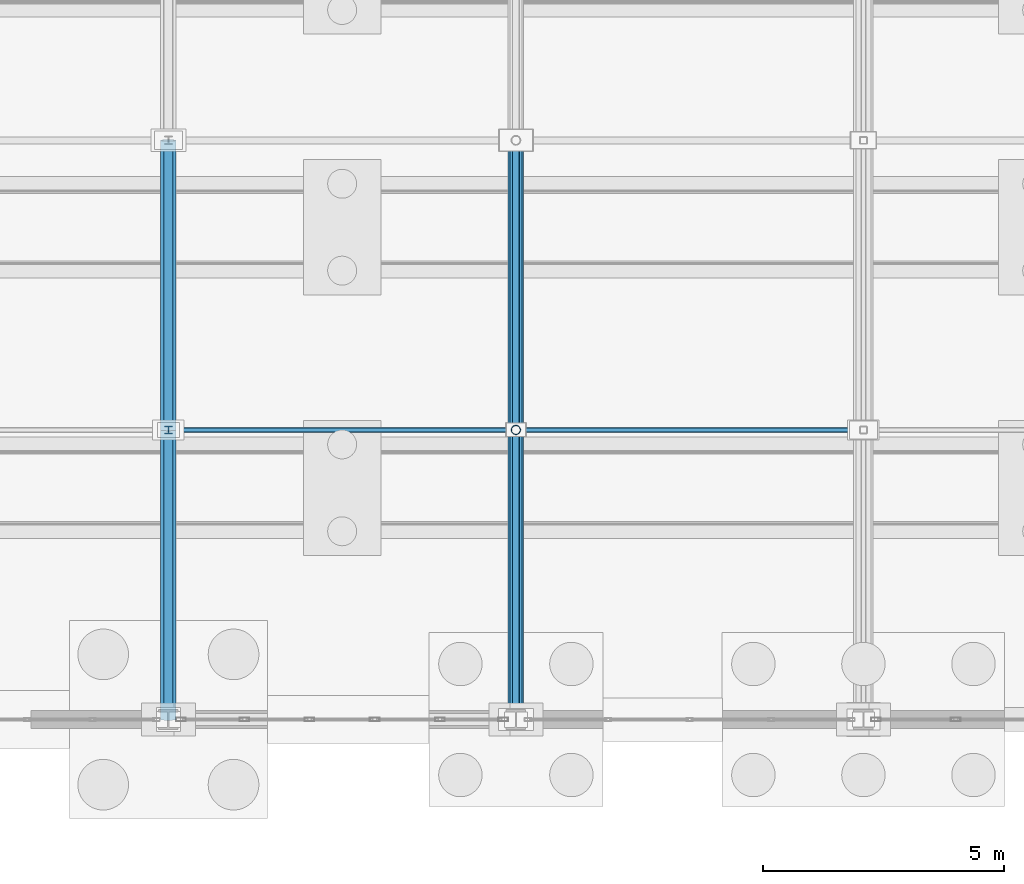
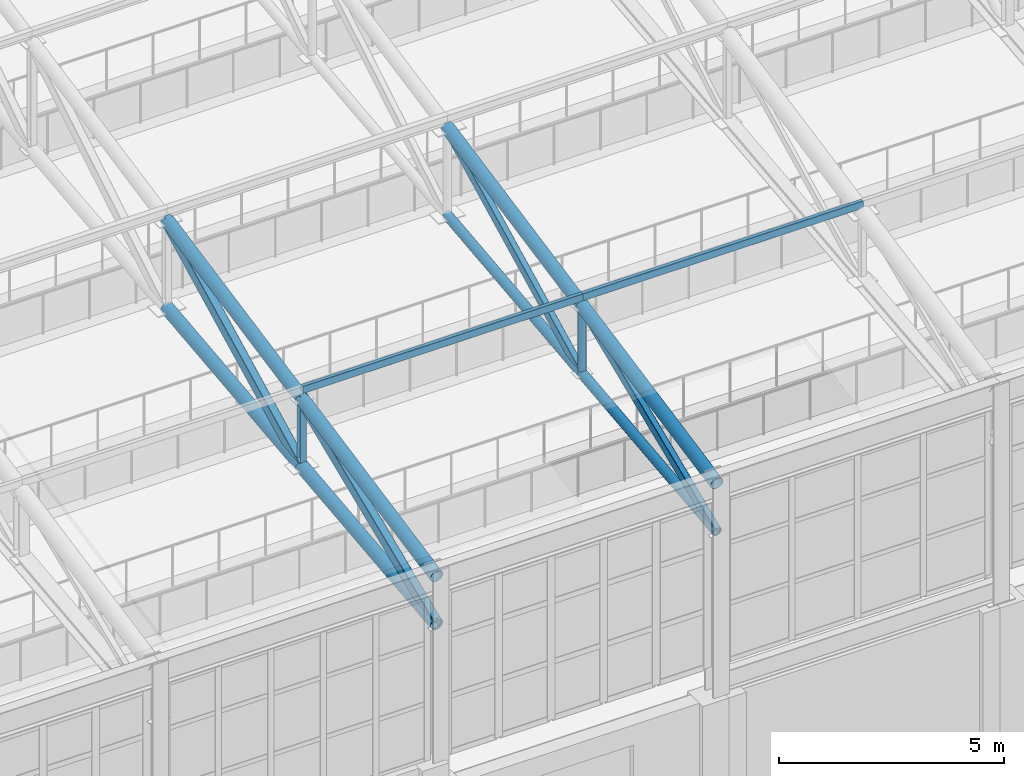
# One storey, part 127 of 293: 16 members.
"""IFC4 building model written with IfcOpenShell, lengths in metres."""

from ifc_helpers import new_model, si_unit, direction, frame, origin, origin_2d, place, context, subcontext, project, spatial, hollow_rectangle, hollow_circle, i_section, extrude, material, material_profile, profile_set, type_object, element, save


model = new_model("IFC4")

# Units and contexts
model_context = context("Model", 3, precision=1e-05, world=origin(), true_north=direction((0.0, 1.0)))
body_context = subcontext(model_context, "Body", "Model", "MODEL_VIEW")
ifc_project = project(units=[si_unit("LENGTHUNIT", "METRE"), si_unit("AREAUNIT", "SQUARE_METRE"), si_unit("VOLUMEUNIT", "CUBIC_METRE"), si_unit("PLANEANGLEUNIT", "RADIAN"), si_unit("MASSUNIT", "GRAM", prefix="KILO")], contexts=[model_context])

# Site, building, storey
site_placement = place(None, origin())
site = spatial("IfcSite", under=ifc_project, at=site_placement, CompositionType="ELEMENT")
building_placement = place(site_placement, origin())
building = spatial("IfcBuilding", under=site, at=building_placement, Name="Kemerveld Promenade Tramway Depot", CompositionType="ELEMENT")
storey_placement = place(building_placement, origin())
storey = spatial("IfcBuildingStorey", under=building, at=storey_placement, Name="L00", CompositionType="ELEMENT", Elevation=0.0)

# Members
ifc_material = material(Name="Steel S355", Category="steel")
ifc_material_profile_1 = material_profile(ifc_material, hollow_rectangle(XDim=0.199951171875, YDim=0.300048828125, WallThickness=0.012451171875, InnerFilletRadius=0.00634765625, OuterFilletRadius=0.018798828125, at=origin_2d()), Name="300x200x12.5 RHS")
ifc_profile_set_1 = profile_set([ifc_material_profile_1], Name="Steel S355")
member_type_1 = type_object("IfcMemberType", Name="MB-M01", PredefinedType="BRACE", material=ifc_profile_set_1)
member_1_placement = place(storey_placement, frame((64.800048828125, 84.0, 9.800048828125), z_axis=(0.0, 0.923076923077, 0.384615384615), x_axis=(-1.0, 0.0, 0.0)))
element("IfcMember", 1, at=member_1_placement, inside=storey, type_object=member_type_1, Name="TR-10-DG-01", PredefinedType="BRACE", context=body_context, shape_type="SweptSolid", body=[
    extrude(hollow_rectangle(XDim=0.199951171875, YDim=0.300048828125, WallThickness=0.012451171875, InnerFilletRadius=0.00634765625, OuterFilletRadius=0.018798828125, at=origin_2d()), origin(), (0.0, 0.0, 1.0), 6.5),
])
member_2_placement = place(storey_placement, frame((64.800048828125, 90.0, 10.4599609375), z_axis=(0.0, 0.892033434612, 0.451969414379), x_axis=(-1.0, 0.0, 0.0)))
element("IfcMember", 2, at=member_2_placement, inside=storey, type_object=member_type_1, Name="TR-10-DG-02", PredefinedType="BRACE", context=body_context, shape_type="SweptSolid", body=[
    extrude(hollow_rectangle(XDim=0.199951171875, YDim=0.300048828125, WallThickness=0.012451171875, InnerFilletRadius=0.00634765625, OuterFilletRadius=0.018798828125, at=origin_2d()), origin(), (0.0, 0.0, 1.0), 6.726318359375),
])
ifc_material_profile_2 = material_profile(ifc_material, hollow_rectangle(XDim=0.14990234375, YDim=0.25, WallThickness=0.010009765625, InnerFilletRadius=0.0048828125, OuterFilletRadius=0.014892578125, at=origin_2d()), Name="250x150x10.0 RHS")
ifc_profile_set_2 = profile_set([ifc_material_profile_2], Name="Steel S355")
member_type_2 = type_object("IfcMemberType", Name="MB-M02", PredefinedType="BRACE", material=ifc_profile_set_2)
member_3_placement = place(storey_placement, frame((72.0, 84.0, 9.800048828125), z_axis=(0.0, 0.923076923077, 0.384615384615), x_axis=(-1.0, 0.0, 0.0)))
element("IfcMember", 3, at=member_3_placement, inside=storey, type_object=member_type_2, Name="TR-11-DG-01", PredefinedType="BRACE", context=body_context, shape_type="SweptSolid", body=[
    extrude(hollow_rectangle(XDim=0.14990234375, YDim=0.25, WallThickness=0.010009765625, InnerFilletRadius=0.0048828125, OuterFilletRadius=0.014892578125, at=origin_2d()), origin(), (0.0, 0.0, 1.0), 6.5),
])
member_4_placement = place(storey_placement, frame((72.0, 90.0, 10.4599609375), z_axis=(0.0, 0.892033434612, 0.451969414379), x_axis=(-1.0, 0.0, 0.0)))
element("IfcMember", 4, at=member_4_placement, inside=storey, type_object=member_type_2, Name="TR-11-DG-02", PredefinedType="BRACE", context=body_context, shape_type="SweptSolid", body=[
    extrude(hollow_rectangle(XDim=0.14990234375, YDim=0.25, WallThickness=0.010009765625, InnerFilletRadius=0.0048828125, OuterFilletRadius=0.014892578125, at=origin_2d()), origin(), (0.0, 0.0, 1.0), 6.726318359375),
])
ifc_material_profile_3 = material_profile(ifc_material, i_section(OverallWidth=0.154296875, OverallDepth=0.161865234375, WebThickness=0.008056640625, FlangeThickness=0.011474609375, FilletRadius=0.007568359375, at=origin_2d()), Name="152x152x37 UC")
ifc_profile_set_3 = profile_set([ifc_material_profile_3], Name="Steel S355")
member_type_3 = type_object("IfcMemberType", Name="MB-M05", PredefinedType="POST", material=ifc_profile_set_3)
member_5_placement = place(storey_placement, frame((64.800048828125, 90.0, 10.4599609375), z_axis=(0.0, 0.0, 1.0), x_axis=(1.0, 0.0, 0.0)))
element("IfcMember", 5, at=member_5_placement, inside=storey, type_object=member_type_3, Name="TR-10-VT-01", PredefinedType="POST", context=body_context, shape_type="SweptSolid", body=[
    extrude(i_section(OverallWidth=0.154296875, OverallDepth=0.161865234375, WebThickness=0.008056640625, FlangeThickness=0.011474609375, FilletRadius=0.007568359375, at=origin_2d()), origin(), (0.0, 0.0, 1.0), 1.840087890625),
])
ifc_material_profile_4 = material_profile(ifc_material, hollow_rectangle(XDim=0.10009765625, YDim=0.199951171875, WallThickness=0.008056640625, InnerFilletRadius=0.00390625, OuterFilletRadius=0.011962890625, at=origin_2d()), Name="200x100x8.0 RHS")
ifc_profile_set_4 = profile_set([ifc_material_profile_4], Name="Steel S355")
member_type_4 = type_object("IfcMemberType", Name="MB-PR2", PredefinedType="PURLIN", material=ifc_profile_set_4)
for number, where, z_axis, x_axis, name in (
    (6, (64.800048828125, 90.0, 12.544921875), (1.0, 0.0, 0.0), (0.0, 1.0, 0.0), "PUR-V1-01-10"),
    (7, (72.0, 90.0, 12.544921875), (1.0, 0.0, 0.0), (0.0, 1.0, 0.0), "PUR-V1-01-11"),
):
    element("IfcMember", number, at=place(storey_placement, frame(where, z_axis=z_axis, x_axis=x_axis)), inside=storey, type_object=member_type_4, Name=name, PredefinedType="PURLIN", context=body_context, shape_type="SweptSolid", body=[
        extrude(hollow_rectangle(XDim=0.10009765625, YDim=0.199951171875, WallThickness=0.008056640625, InnerFilletRadius=0.00390625, OuterFilletRadius=0.011962890625, at=origin_2d()), origin(), (0.0, 0.0, 1.0), 7.199951171875),
    ])
ifc_material_profile_5 = material_profile(ifc_material, hollow_circle(Radius=0.161865234375, WallThickness=0.012451171875, at=origin_2d()), Name="323.9x12.5 CHS")
ifc_profile_set_5 = profile_set([ifc_material_profile_5], Name="Steel S355")
member_type_5 = type_object("IfcMemberType", Name="MB-TC2", PredefinedType="CHORD", material=ifc_profile_set_5)
member_6_placement = place(storey_placement, frame((64.800048828125, 84.0, 11.10009765625), z_axis=(0.0, 0.980582210276, 0.196108462057), x_axis=(-1.0, 0.0, 0.0)))
element("IfcMember", 8, at=member_6_placement, inside=storey, type_object=member_type_5, Name="TR-10-TC-01", PredefinedType="CHORD", context=body_context, shape_type="SweptSolid", body=[
    extrude(hollow_circle(Radius=0.161865234375, WallThickness=0.012451171875, at=origin_2d()), origin(), (0.0, 0.0, 1.0), 6.118896484375),
])
member_7_placement = place(storey_placement, frame((64.800048828125, 84.0, 9.800048828125), z_axis=(0.0, 0.994005938353, 0.109326092585), x_axis=(-1.0, 0.0, 0.0)))
element("IfcMember", 9, at=member_7_placement, inside=storey, type_object=member_type_5, Name="TR-10-BC-01", PredefinedType="CHORD", context=body_context, shape_type="SweptSolid", body=[
    extrude(hollow_circle(Radius=0.161865234375, WallThickness=0.012451171875, at=origin_2d()), origin(), (0.0, 0.0, 1.0), 6.0361328125),
])
member_8_placement = place(storey_placement, frame((64.800048828125, 90.0, 12.300048828125), z_axis=(0.0, 0.980582210276, 0.196108462057), x_axis=(-1.0, 0.0, 0.0)))
element("IfcMember", 10, at=member_8_placement, inside=storey, type_object=member_type_5, Name="TR-10-TC-02", PredefinedType="CHORD", context=body_context, shape_type="SweptSolid", body=[
    extrude(hollow_circle(Radius=0.161865234375, WallThickness=0.012451171875, at=origin_2d()), origin(), (0.0, 0.0, 1.0), 6.118896484375),
])
member_9_placement = place(storey_placement, frame((64.800048828125, 90.0, 10.4599609375), z_axis=(0.0, 0.994001542248, 0.109366055104), x_axis=(-1.0, 0.0, 0.0)))
element("IfcMember", 11, at=member_9_placement, inside=storey, type_object=member_type_5, Name="TR-10-BC-02", PredefinedType="CHORD", context=body_context, shape_type="SweptSolid", body=[
    extrude(hollow_circle(Radius=0.161865234375, WallThickness=0.012451171875, at=origin_2d()), origin(), (0.0, 0.0, 1.0), 6.0361328125),
])
for number, where, z_axis, x_axis, name in (
    (12, (72.0, 84.0, 11.10009765625), (0.0, 0.980582210276, 0.196108462057), (-1.0, 0.0, 0.0), "TR-11-TC-01"),
    (13, (72.0, 90.0, 12.300048828125), (0.0, 0.980582210276, 0.196108462057), (-1.0, 0.0, 0.0), "TR-11-TC-02"),
):
    element("IfcMember", number, at=place(storey_placement, frame(where, z_axis=z_axis, x_axis=x_axis)), inside=storey, type_object=member_type_5, Name=name, PredefinedType="CHORD", context=body_context, shape_type="SweptSolid", body=[
        extrude(hollow_circle(Radius=0.161865234375, WallThickness=0.012451171875, at=origin_2d()), origin(), (0.0, 0.0, 1.0), 6.118896484375),
    ])
ifc_material_profile_6 = material_profile(ifc_material, hollow_circle(Radius=0.122314453125, WallThickness=0.010009765625, at=origin_2d()), Name="244.5x10.0 CHS")
ifc_profile_set_6 = profile_set([ifc_material_profile_6], Name="Steel S355")
member_type_6 = type_object("IfcMemberType", Name="MB-TC3", PredefinedType="CHORD", material=ifc_profile_set_6)
for number, where, z_axis, x_axis, name in (
    (14, (72.0, 84.0, 9.800048828125), (0.0, 0.994005938353, 0.109326092585), (-1.0, 0.0, 0.0), "TR-11-BC-01"),
    (15, (72.0, 90.0, 10.4599609375), (0.0, 0.994001542248, 0.109366055104), (-1.0, 0.0, 0.0), "TR-11-BC-02"),
):
    element("IfcMember", number, at=place(storey_placement, frame(where, z_axis=z_axis, x_axis=x_axis)), inside=storey, type_object=member_type_6, Name=name, PredefinedType="CHORD", context=body_context, shape_type="SweptSolid", body=[
        extrude(hollow_circle(Radius=0.122314453125, WallThickness=0.010009765625, at=origin_2d()), origin(), (0.0, 0.0, 1.0), 6.0361328125),
    ])
ifc_material_profile_7 = material_profile(ifc_material, hollow_circle(Radius=0.096923828125, WallThickness=0.008056640625, at=origin_2d()), Name="193.7x8.0 CHS")
ifc_profile_set_7 = profile_set([ifc_material_profile_7], Name="Steel S355")
member_type_7 = type_object("IfcMemberType", Name="MB-TP1", PredefinedType="POST", material=ifc_profile_set_7)
member_10_placement = place(storey_placement, frame((72.0, 90.0, 10.4599609375), z_axis=(0.0, 0.0, 1.0), x_axis=(1.0, 0.0, 0.0)))
element("IfcMember", 16, at=member_10_placement, inside=storey, type_object=member_type_7, Name="TR-11-VT-01", PredefinedType="POST", context=body_context, shape_type="SweptSolid", body=[
    extrude(hollow_circle(Radius=0.096923828125, WallThickness=0.008056640625, at=origin_2d()), origin(), (0.0, 0.0, 1.0), 1.840087890625),
])

save(model, "model.ifc")
